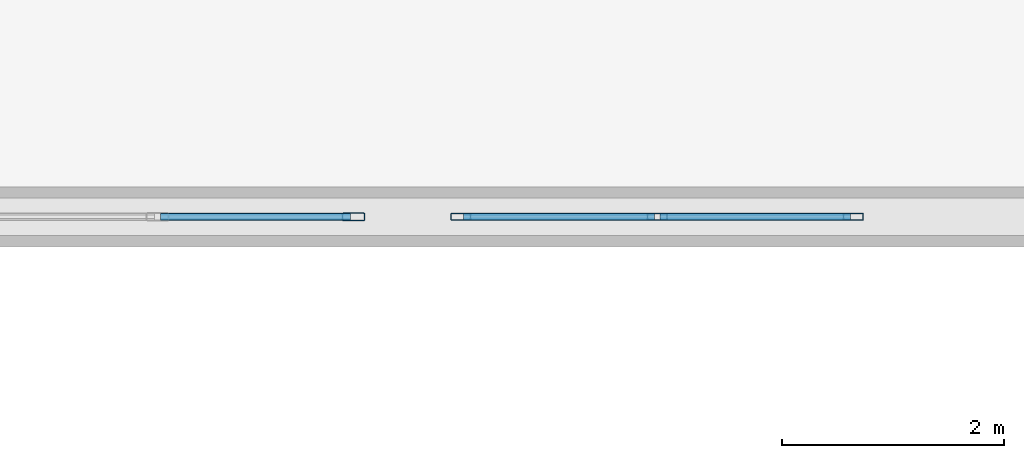
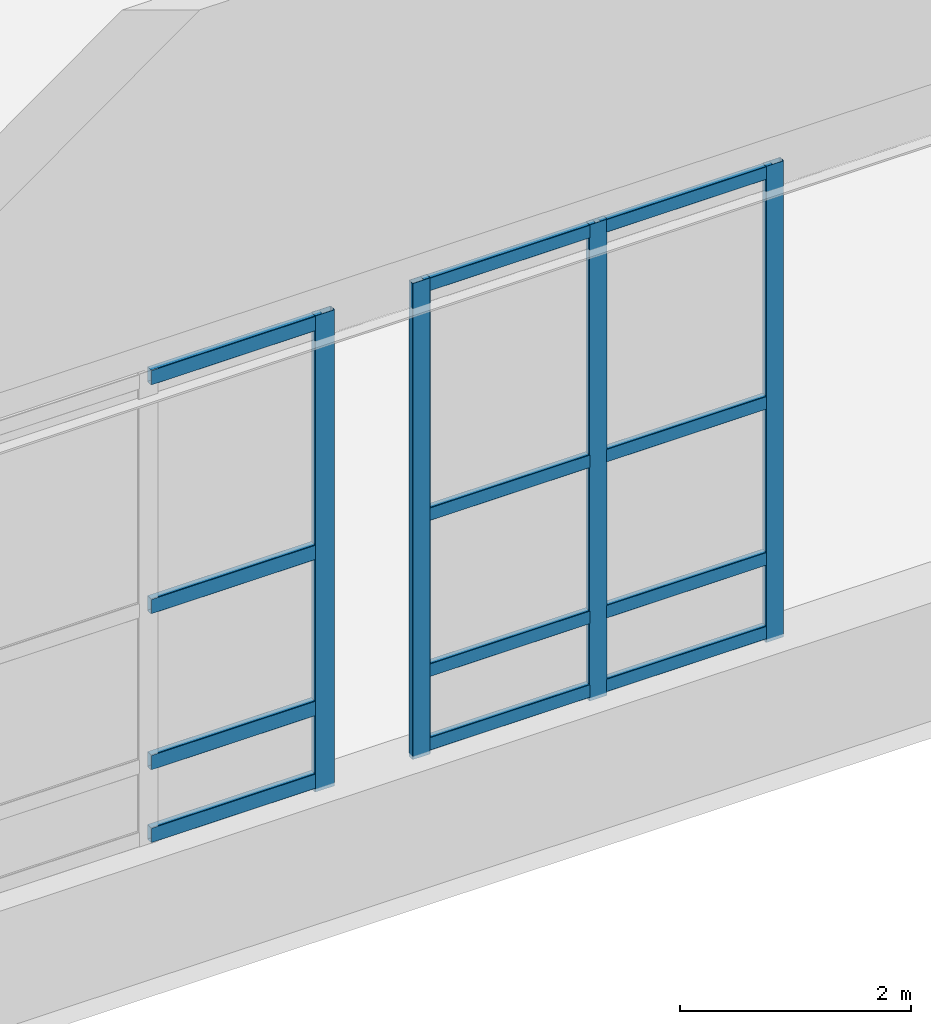
# One storey, part 22 of 97: 16 members, 2 elements without a shape of their own.
"""IFC4 building model written with IfcOpenShell, lengths in metres."""

import ifcopenshell
import ifcopenshell.guid

model = None  # the IFC model being written
_history = None  # IfcOwnerHistory: only IFC2X3 demands one
_inside = {}  # id of a spatial element -> (the spatial element, [elements in it])
_under = {}  # id of a project, library or spatial element -> (it, [spatial elements below it])
_declared = {}  # id of a project -> (the project, [libraries it declares])
_typed = {}  # id of a type object -> (the type object, [elements of that type])
_made_of = {}  # id of a material, layer set ... -> (it, [elements and type objects made of it])


def new_model(schema):
    """Start an empty IFC model of exactly this schema.

    Asked for "IFC4X3", IfcOpenShell would pick the latest addendum, in which some entities
    have other attributes; the version numbers below select the first issue.
    IFC2X3 requires an IfcOwnerHistory on every rooted entity: one is made here for all.
    """
    global model, _history
    if schema == "IFC4X3":
        model = ifcopenshell.file(schema_version=(4, 3, 0, 0))
    else:
        model = ifcopenshell.file(schema=schema)
    _inside.clear()
    _under.clear()
    _declared.clear()
    _typed.clear()
    _made_of.clear()
    _history = None
    if model.schema == "IFC2X3":
        org = make("IfcOrganization", Name="unknown")
        user = make(
            "IfcPersonAndOrganization",
            ThePerson=make("IfcPerson", FamilyName="unknown"),
            TheOrganization=org,
        )
        app = make(
            "IfcApplication",
            ApplicationDeveloper=org,
            Version="unknown",
            ApplicationFullName="unknown",
            ApplicationIdentifier="unknown",
        )
        _history = make(
            "IfcOwnerHistory",
            OwningUser=user,
            OwningApplication=app,
            ChangeAction="ADDED",
            CreationDate=0,
        )
    return model


def make(cls, **values):
    """One entity of the class cls with the attributes given. An attribute that is None is left unset."""
    return model.create_entity(
        cls, **{name: value for name, value in values.items() if value is not None}
    )


def rooted(cls, **values):
    """An entity with a GlobalId (a new one), such as an element, a storey or a relation."""
    return make(cls, GlobalId=ifcopenshell.guid.new(), OwnerHistory=_history, **values)


def si_unit(unit_type, name, prefix=None):
    """IfcSIUnit, for example si_unit("LENGTHUNIT", "METRE", prefix="MILLI")."""
    return make("IfcSIUnit", UnitType=unit_type, Prefix=prefix, Name=name)


def derived_unit(unit_type, elements):
    """IfcDerivedUnit: a product of units, each with its exponent."""
    return make(
        "IfcDerivedUnit",
        Elements=[
            make("IfcDerivedUnitElement", Unit=unit, Exponent=power)
            for unit, power in elements
        ],
        UnitType=unit_type,
    )


def assignment(units):
    """IfcUnitAssignment: the units of a project."""
    return None if units is None else make("IfcUnitAssignment", Units=units)


def point(xyz):
    """IfcCartesianPoint."""
    return None if xyz is None else make("IfcCartesianPoint", Coordinates=xyz)


def direction(xyz):
    """IfcDirection."""
    return None if xyz is None else make("IfcDirection", DirectionRatios=xyz)


def frame(location, z_axis=None, x_axis=None):
    """IfcAxis2Placement3D, a coordinate frame: its origin and axes. An axis left out is left unset."""
    return make(
        "IfcAxis2Placement3D",
        Location=point(location),
        Axis=direction(z_axis),
        RefDirection=direction(x_axis),
    )


def frame_2d(location, x_axis=None):
    """IfcAxis2Placement2D, a coordinate frame in the plane: its origin and x axis."""
    return make(
        "IfcAxis2Placement2D", Location=point(location), RefDirection=direction(x_axis)
    )


def origin():
    """The frame at (0, 0, 0) with its axes left unset."""
    return frame((0.0, 0.0, 0.0))


def origin_2d():
    """The frame at (0, 0) in the plane with its x axis left unset."""
    return frame_2d((0.0, 0.0))


def place(relative_to, where):
    """IfcLocalPlacement: puts the frame where relative to a parent placement (None: the world)."""
    return make(
        "IfcLocalPlacement", PlacementRelTo=relative_to, RelativePlacement=where
    )


def context(
    kind, dimensions, precision=None, world=None, true_north=None, identifier=None
):
    """IfcGeometricRepresentationContext, for example the 3D "Model" context."""
    return make(
        "IfcGeometricRepresentationContext",
        ContextIdentifier=identifier,
        ContextType=kind,
        CoordinateSpaceDimension=dimensions,
        Precision=precision,
        WorldCoordinateSystem=world,
        TrueNorth=true_north,
    )


def subcontext(parent, identifier, kind, view, scale=None):
    """IfcGeometricRepresentationSubContext, for example "Body" below "Model"."""
    return make(
        "IfcGeometricRepresentationSubContext",
        ContextIdentifier=identifier,
        ContextType=kind,
        ParentContext=parent,
        TargetScale=scale,
        TargetView=view,
    )


def project(units=None, contexts=None):
    """IfcProject with its units and contexts."""
    return rooted(
        "IfcProject",
        Name="project",
        RepresentationContexts=contexts,
        UnitsInContext=assignment(units),
    )


def spatial(cls, under=None, at=None, **own):
    """A site, building, storey or space (cls), placed at a placement, below another one or the project."""
    s = rooted(cls, ObjectPlacement=at, **own)
    if under is not None:
        _under.setdefault(under.id(), (under, []))[1].append(s)
    return s


def profile(cls, at=None, kind="AREA", **sizes):
    """A parametric profile (cls). Its sizes go by their IFC names, for example OverallWidth=200.0."""
    return make(cls, ProfileType=kind, Position=at, **sizes)


def hollow_rectangle(**sizes):
    """IfcRectangleHollowProfileDef."""
    return profile("IfcRectangleHollowProfileDef", **sizes)


def extrude(swept, where, along, depth):
    """IfcExtrudedAreaSolid: the profile swept, set in the frame where, extruded along a direction by depth."""
    return make(
        "IfcExtrudedAreaSolid",
        SweptArea=swept,
        Position=where,
        ExtrudedDirection=direction(along),
        Depth=depth,
    )


def shape(context_of_items, identifier, shape_type, items):
    """IfcShapeRepresentation: the items that make up one representation, for example the "Body"."""
    return make(
        "IfcShapeRepresentation",
        ContextOfItems=context_of_items,
        RepresentationIdentifier=identifier,
        RepresentationType=shape_type,
        Items=items,
    )


def material(Name=None, Category=None):
    """IfcMaterial."""
    return make("IfcMaterial", Name=Name, Category=Category)


def layer(
    of_material, thickness, ventilated=None, Name=None, Category=None, Priority=None
):
    """IfcMaterialLayer: one layer of a wall or slab, of a material (None: an air gap)."""
    return make(
        "IfcMaterialLayer",
        Material=of_material,
        LayerThickness=thickness,
        IsVentilated=ventilated,
        Name=Name,
        Category=Category,
        Priority=Priority,
    )


def layer_set(layers, Name=None):
    """IfcMaterialLayerSet."""
    return make("IfcMaterialLayerSet", MaterialLayers=layers, LayerSetName=Name)


def material_profile(
    of_material, cross_section, Name=None, Category=None, Priority=None
):
    """IfcMaterialProfile: a cross section and its material."""
    return make(
        "IfcMaterialProfile",
        Name=Name,
        Material=of_material,
        Profile=cross_section,
        Priority=Priority,
        Category=Category,
    )


def profile_set(profiles, Name=None, composite=None):
    """IfcMaterialProfileSet."""
    return make(
        "IfcMaterialProfileSet",
        Name=Name,
        MaterialProfiles=profiles,
        CompositeProfile=composite,
    )


def made_of(thing, what):
    """Note that an element or type object is made of a material, layer set ...; save() writes the relation."""
    if what is not None:
        _made_of.setdefault(what.id(), (what, []))[1].append(thing)
    return thing


def type_object(cls, material=None, **own):
    """A type object (cls), such as IfcWallType, which elements share."""
    return made_of(rooted(cls, **own), material)


def element(
    cls,
    number,
    at=None,
    inside=None,
    cuts=None,
    type_object=None,
    material=None,
    context=None,
    identifier="Body",
    shape_type=None,
    held_by="IfcProductDefinitionShape",
    body=None,
    shapes=None,
    **own,
):
    """One element of the class cls, such as IfcWall. Its Tag is "e" and its number.

    at: its placement. inside: the storey or other place that contains it. cuts: it is an
    opening in that element (IfcRelVoidsElement). A single representation is given by context,
    identifier, shape_type and body (its items); several are given by shapes. held_by: the class
    of the entity that holds the representations. save() writes the other relations.
    """
    e = rooted(cls, Tag="e%d" % number, ObjectPlacement=at, **own)
    if body is not None:
        shapes = [shape(context, identifier, shape_type, body)]
    if shapes is not None:
        e.Representation = make(held_by, Representations=shapes)
    if inside is not None:
        _inside.setdefault(inside.id(), (inside, []))[1].append(e)
    if cuts is not None:
        rooted(
            "IfcRelVoidsElement", RelatingBuildingElement=cuts, RelatedOpeningElement=e
        )
    if type_object is not None:
        _typed.setdefault(type_object.id(), (type_object, []))[1].append(e)
    return made_of(e, material)


def aggregate(whole, parts):
    """IfcRelAggregates: a whole, such as a stair, and the parts it consists of."""
    return rooted("IfcRelAggregates", RelatingObject=whole, RelatedObjects=parts)


def save(model, path):
    """Write the relations noted so far, then the file.

    IfcRelAggregates (storeys below a building ...), IfcRelContainedInSpatialStructure (elements
    in a storey), IfcRelDefinesByType, IfcRelAssociatesMaterial and IfcRelDeclares: one each for
    every whole, place, type object, material and project.
    """
    for whole, parts in _under.values():
        aggregate(whole, parts)
    for where, things in _inside.values():
        rooted(
            "IfcRelContainedInSpatialStructure",
            RelatedElements=things,
            RelatingStructure=where,
        )
    for kind, things in _typed.values():
        rooted("IfcRelDefinesByType", RelatedObjects=things, RelatingType=kind)
    for what, things in _made_of.values():
        rooted("IfcRelAssociatesMaterial", RelatedObjects=things, RelatingMaterial=what)
    for by, libraries in _declared.values():
        rooted("IfcRelDeclares", RelatingContext=by, RelatedDefinitions=libraries)
    model.write(path)


model = new_model("IFC4")

# Units and contexts
model_context = context("Model", 3, precision=1e-05, world=origin(), true_north=direction((0.0, 1.0)))
body_context = subcontext(model_context, "Body", "Model", "MODEL_VIEW")
ifc_project = project(units=[si_unit("LENGTHUNIT", "METRE"), si_unit("AREAUNIT", "SQUARE_METRE"), si_unit("VOLUMEUNIT", "CUBIC_METRE"), si_unit("PLANEANGLEUNIT", "RADIAN"), si_unit("MASSUNIT", "GRAM", prefix="KILO"), derived_unit("THERMALTRANSMITTANCEUNIT", [(si_unit("POWERUNIT", "WATT"), 1), (si_unit("LENGTHUNIT", "METRE"), -2), (si_unit("THERMODYNAMICTEMPERATUREUNIT", "KELVIN"), -1)])], contexts=[model_context])

# Site, building, storey
site_placement = place(None, origin())
site = spatial("IfcSite", under=ifc_project, at=site_placement, CompositionType="ELEMENT")
building_placement = place(site_placement, origin())
building = spatial("IfcBuilding", under=site, at=building_placement, Name="Almenara Railside Exhibition Hall", CompositionType="ELEMENT")
storey_placement = place(building_placement, frame((0.0, 0.0, 10.800048828125)))
storey = spatial("IfcBuildingStorey", under=building, at=storey_placement, Name="L02", CompositionType="ELEMENT", Elevation=10.800048828125)

# Curtain wall, members
ifc_material_1 = material(Name="Bronze-anodised aluminium and low-E double glazing", Category="aluminium")
ifc_layer = layer(ifc_material_1, 0.179931640625, Name="Bronze-anodised aluminium and low-E double glazing")
ifc_layer_set = layer_set([ifc_layer], Name="Bronze-anodised aluminium and low-E double glazing")
curtain_wall_type = type_object("IfcCurtainWallType", Name="Scroll Gable Standard Curtain Wall 3600x5000", PredefinedType="NOTDEFINED", material=ifc_layer_set)
curtain_wall_1_placement = place(storey_placement, origin())
curtain_wall_1 = element("IfcCurtainWall", 1, at=curtain_wall_1_placement, inside=storey, type_object=curtain_wall_type, Name="Curtain wall CW-G2-037", PredefinedType="NOTDEFINED")
ifc_material_2 = material(Name="Bronze-anodised aluminium", Category="aluminium")
ifc_material_profile_1 = material_profile(ifc_material_2, hollow_rectangle(XDim=0.06494140625, YDim=0.179931640625, WallThickness=0.00390625, InnerFilletRadius=0.00390625, OuterFilletRadius=0.008056640625, at=origin_2d()), Name="ALU-MUL 65x180x4")
ifc_profile_set_1 = profile_set([ifc_material_profile_1], Name="Bronze-anodised aluminium")
member_type_1 = type_object("IfcMemberType", Name="Curtain Wall Mullion 65x180x4", PredefinedType="MULLION", material=ifc_profile_set_1)
member_1_placement = place(storey_placement, frame((50.232421875, 48.0, 1.21484375), z_axis=(0.0, 0.0, 1.0), x_axis=(0.0, 1.0, 0.0)))
member_1 = element("IfcMember", 2, at=member_1_placement, type_object=member_type_1, Name="CW-G2-037 mullion 1", PredefinedType="MULLION", context=body_context, shape_type="SweptSolid", body=[
    extrude(hollow_rectangle(XDim=0.06494140625, YDim=0.179931640625, WallThickness=0.00390625, InnerFilletRadius=0.00390625, OuterFilletRadius=0.008056640625, at=origin_2d()), origin(), (0.0, 0.0, 1.0), 5.03515625),
])
member_2_placement = place(storey_placement, frame((52.0, 48.0, 1.21484375), z_axis=(0.0, 0.0, 1.0), x_axis=(0.0, 1.0, 0.0)))
member_2 = element("IfcMember", 3, at=member_2_placement, type_object=member_type_1, Name="CW-G2-037 mullion 2", PredefinedType="MULLION", context=body_context, shape_type="SweptSolid", body=[
    extrude(hollow_rectangle(XDim=0.06494140625, YDim=0.179931640625, WallThickness=0.00390625, InnerFilletRadius=0.00390625, OuterFilletRadius=0.008056640625, at=origin_2d()), origin(), (0.0, 0.0, 1.0), 5.03515625),
])
member_3_placement = place(storey_placement, frame((53.767578125, 48.0, 1.21484375), z_axis=(0.0, 0.0, 1.0), x_axis=(0.0, 1.0, 0.0)))
member_3 = element("IfcMember", 4, at=member_3_placement, type_object=member_type_1, Name="CW-G2-037 mullion 3", PredefinedType="MULLION", context=body_context, shape_type="SweptSolid", body=[
    extrude(hollow_rectangle(XDim=0.06494140625, YDim=0.179931640625, WallThickness=0.00390625, InnerFilletRadius=0.00390625, OuterFilletRadius=0.008056640625, at=origin_2d()), origin(), (0.0, 0.0, 1.0), 5.03515625),
])

# Curtain wall, member
curtain_wall_2_placement = place(storey_placement, origin())
curtain_wall_2 = element("IfcCurtainWall", 5, at=curtain_wall_2_placement, inside=storey, type_object=curtain_wall_type, Name="Curtain wall CW-G2-036", PredefinedType="NOTDEFINED")
ifc_material_profile_2 = material_profile(ifc_material_2, hollow_rectangle(XDim=0.070068359375, YDim=0.199951171875, WallThickness=0.00439453125, InnerFilletRadius=0.00439453125, OuterFilletRadius=0.009033203125, at=origin_2d()), Name="ALU-MUL 70x200x4.5")
ifc_profile_set_2 = profile_set([ifc_material_profile_2], Name="Bronze-anodised aluminium")
member_type_2 = type_object("IfcMemberType", Name="Curtain Wall Mullion 70x200x4.5", PredefinedType="MULLION", material=ifc_profile_set_2)
member_4_placement = place(storey_placement, frame((49.264892578125, 48.0, 1.21484375), z_axis=(0.0, 0.0, 1.0), x_axis=(0.0, 1.0, 0.0)))
member_4 = element("IfcMember", 6, at=member_4_placement, type_object=member_type_2, Name="CW-G2-036 mullion 3", PredefinedType="MULLION", context=body_context, shape_type="SweptSolid", body=[
    extrude(hollow_rectangle(XDim=0.070068359375, YDim=0.199951171875, WallThickness=0.00439453125, InnerFilletRadius=0.00439453125, OuterFilletRadius=0.009033203125, at=origin_2d()), origin(), (0.0, 0.0, 1.0), 5.03515625),
])

# Member
ifc_material_profile_3 = material_profile(ifc_material_2, hollow_rectangle(XDim=0.06494140625, YDim=0.139892578125, WallThickness=0.00341796875, InnerFilletRadius=0.00341796875, OuterFilletRadius=0.007080078125, at=origin_2d()), Name="ALU-TRN 65x140x3.5")
ifc_profile_set_3 = profile_set([ifc_material_profile_3], Name="Bronze-anodised aluminium")
member_type_3 = type_object("IfcMemberType", Name="Curtain Wall Transom 65x140x3.5", PredefinedType="USERDEFINED", material=ifc_profile_set_3)
member_5_placement = place(storey_placement, frame((50.257080078125, 48.0, 1.320068359375), z_axis=(1.0, 0.0, 0.0), x_axis=(0.0, 1.0, 0.0)))
member_5 = element("IfcMember", 7, at=member_5_placement, type_object=member_type_3, Name="CW-G2-037 transom 1.1", ObjectType="TRANSOM", PredefinedType="USERDEFINED", context=body_context, shape_type="SweptSolid", body=[
    extrude(hollow_rectangle(XDim=0.06494140625, YDim=0.139892578125, WallThickness=0.00341796875, InnerFilletRadius=0.00341796875, OuterFilletRadius=0.007080078125, at=origin_2d()), origin(), (0.0, 0.0, 1.0), 1.718505859375),
])

member_6_placement = place(storey_placement, frame((50.257080078125, 48.0, 2.099853515625), z_axis=(1.0, 0.0, 0.0), x_axis=(0.0, 1.0, 0.0)))
member_6 = element("IfcMember", 8, at=member_6_placement, type_object=member_type_3, Name="CW-G2-037 transom 1.2", ObjectType="TRANSOM", PredefinedType="USERDEFINED", context=body_context, shape_type="SweptSolid", body=[
    extrude(hollow_rectangle(XDim=0.06494140625, YDim=0.139892578125, WallThickness=0.00341796875, InnerFilletRadius=0.00341796875, OuterFilletRadius=0.007080078125, at=origin_2d()), origin(), (0.0, 0.0, 1.0), 1.718505859375),
])

member_7_placement = place(storey_placement, frame((50.257080078125, 48.0, 3.75), z_axis=(1.0, 0.0, 0.0), x_axis=(0.0, 1.0, 0.0)))
member_7 = element("IfcMember", 9, at=member_7_placement, type_object=member_type_3, Name="CW-G2-037 transom 1.3", ObjectType="TRANSOM", PredefinedType="USERDEFINED", context=body_context, shape_type="SweptSolid", body=[
    extrude(hollow_rectangle(XDim=0.06494140625, YDim=0.139892578125, WallThickness=0.00341796875, InnerFilletRadius=0.00341796875, OuterFilletRadius=0.007080078125, at=origin_2d()), origin(), (0.0, 0.0, 1.0), 1.718505859375),
])

member_8_placement = place(storey_placement, frame((50.257080078125, 48.0, 6.179931640625), z_axis=(1.0, 0.0, 0.0), x_axis=(0.0, 1.0, 0.0)))
member_8 = element("IfcMember", 10, at=member_8_placement, type_object=member_type_3, Name="CW-G2-037 transom 1.4", ObjectType="TRANSOM", PredefinedType="USERDEFINED", context=body_context, shape_type="SweptSolid", body=[
    extrude(hollow_rectangle(XDim=0.06494140625, YDim=0.139892578125, WallThickness=0.00341796875, InnerFilletRadius=0.00341796875, OuterFilletRadius=0.007080078125, at=origin_2d()), origin(), (0.0, 0.0, 1.0), 1.718505859375),
])

member_9_placement = place(storey_placement, frame((52.0244140625, 48.0, 1.320068359375), z_axis=(1.0, 0.0, 0.0), x_axis=(0.0, 1.0, 0.0)))
member_9 = element("IfcMember", 11, at=member_9_placement, type_object=member_type_3, Name="CW-G2-037 transom 2.1", ObjectType="TRANSOM", PredefinedType="USERDEFINED", context=body_context, shape_type="SweptSolid", body=[
    extrude(hollow_rectangle(XDim=0.06494140625, YDim=0.139892578125, WallThickness=0.00341796875, InnerFilletRadius=0.00341796875, OuterFilletRadius=0.007080078125, at=origin_2d()), origin(), (0.0, 0.0, 1.0), 1.718505859375),
])

member_10_placement = place(storey_placement, frame((52.0244140625, 48.0, 2.099853515625), z_axis=(1.0, 0.0, 0.0), x_axis=(0.0, 1.0, 0.0)))
member_10 = element("IfcMember", 12, at=member_10_placement, type_object=member_type_3, Name="CW-G2-037 transom 2.2", ObjectType="TRANSOM", PredefinedType="USERDEFINED", context=body_context, shape_type="SweptSolid", body=[
    extrude(hollow_rectangle(XDim=0.06494140625, YDim=0.139892578125, WallThickness=0.00341796875, InnerFilletRadius=0.00341796875, OuterFilletRadius=0.007080078125, at=origin_2d()), origin(), (0.0, 0.0, 1.0), 1.718505859375),
])

member_11_placement = place(storey_placement, frame((52.0244140625, 48.0, 3.75), z_axis=(1.0, 0.0, 0.0), x_axis=(0.0, 1.0, 0.0)))
member_11 = element("IfcMember", 13, at=member_11_placement, type_object=member_type_3, Name="CW-G2-037 transom 2.3", ObjectType="TRANSOM", PredefinedType="USERDEFINED", context=body_context, shape_type="SweptSolid", body=[
    extrude(hollow_rectangle(XDim=0.06494140625, YDim=0.139892578125, WallThickness=0.00341796875, InnerFilletRadius=0.00341796875, OuterFilletRadius=0.007080078125, at=origin_2d()), origin(), (0.0, 0.0, 1.0), 1.718505859375),
])

member_12_placement = place(storey_placement, frame((52.0244140625, 48.0, 6.179931640625), z_axis=(1.0, 0.0, 0.0), x_axis=(0.0, 1.0, 0.0)))
member_12 = element("IfcMember", 14, at=member_12_placement, type_object=member_type_3, Name="CW-G2-037 transom 2.4", ObjectType="TRANSOM", PredefinedType="USERDEFINED", context=body_context, shape_type="SweptSolid", body=[
    extrude(hollow_rectangle(XDim=0.06494140625, YDim=0.139892578125, WallThickness=0.00341796875, InnerFilletRadius=0.00341796875, OuterFilletRadius=0.007080078125, at=origin_2d()), origin(), (0.0, 0.0, 1.0), 1.718505859375),
])

aggregate(curtain_wall_1, [member_1, member_2, member_3, member_5, member_6, member_7, member_8, member_9, member_10, member_11, member_12])

ifc_material_profile_4 = material_profile(ifc_material_2, hollow_rectangle(XDim=0.070068359375, YDim=0.159912109375, WallThickness=0.00390625, InnerFilletRadius=0.00390625, OuterFilletRadius=0.008056640625, at=origin_2d()), Name="ALU-TRN 70x160x4")
ifc_profile_set_4 = profile_set([ifc_material_profile_4], Name="Bronze-anodised aluminium")
member_type_4 = type_object("IfcMemberType", Name="Curtain Wall Transom 70x160x4", PredefinedType="USERDEFINED", material=ifc_profile_set_4)
member_13_placement = place(storey_placement, frame((47.527099609375, 48.0, 1.329833984375), z_axis=(1.0, 0.0, 0.0), x_axis=(0.0, 1.0, 0.0)))
member_13 = element("IfcMember", 15, at=member_13_placement, type_object=member_type_4, Name="CW-G2-036 transom 2.1", ObjectType="TRANSOM", PredefinedType="USERDEFINED", context=body_context, shape_type="SweptSolid", body=[
    extrude(hollow_rectangle(XDim=0.070068359375, YDim=0.159912109375, WallThickness=0.00390625, InnerFilletRadius=0.00390625, OuterFilletRadius=0.008056640625, at=origin_2d()), origin(), (0.0, 0.0, 1.0), 1.7109375),
])

member_14_placement = place(storey_placement, frame((47.527099609375, 48.0, 2.099853515625), z_axis=(1.0, 0.0, 0.0), x_axis=(0.0, 1.0, 0.0)))
member_14 = element("IfcMember", 16, at=member_14_placement, type_object=member_type_4, Name="CW-G2-036 transom 2.2", ObjectType="TRANSOM", PredefinedType="USERDEFINED", context=body_context, shape_type="SweptSolid", body=[
    extrude(hollow_rectangle(XDim=0.070068359375, YDim=0.159912109375, WallThickness=0.00390625, InnerFilletRadius=0.00390625, OuterFilletRadius=0.008056640625, at=origin_2d()), origin(), (0.0, 0.0, 1.0), 1.7109375),
])

member_15_placement = place(storey_placement, frame((47.527099609375, 48.0, 3.75), z_axis=(1.0, 0.0, 0.0), x_axis=(0.0, 1.0, 0.0)))
member_15 = element("IfcMember", 17, at=member_15_placement, type_object=member_type_4, Name="CW-G2-036 transom 2.3", ObjectType="TRANSOM", PredefinedType="USERDEFINED", context=body_context, shape_type="SweptSolid", body=[
    extrude(hollow_rectangle(XDim=0.070068359375, YDim=0.159912109375, WallThickness=0.00390625, InnerFilletRadius=0.00390625, OuterFilletRadius=0.008056640625, at=origin_2d()), origin(), (0.0, 0.0, 1.0), 1.7109375),
])

member_16_placement = place(storey_placement, frame((47.527099609375, 48.0, 6.169921875), z_axis=(1.0, 0.0, 0.0), x_axis=(0.0, 1.0, 0.0)))
member_16 = element("IfcMember", 18, at=member_16_placement, type_object=member_type_4, Name="CW-G2-036 transom 2.4", ObjectType="TRANSOM", PredefinedType="USERDEFINED", context=body_context, shape_type="SweptSolid", body=[
    extrude(hollow_rectangle(XDim=0.070068359375, YDim=0.159912109375, WallThickness=0.00390625, InnerFilletRadius=0.00390625, OuterFilletRadius=0.008056640625, at=origin_2d()), origin(), (0.0, 0.0, 1.0), 1.7109375),
])

aggregate(curtain_wall_2, [member_4, member_13, member_14, member_15, member_16])

save(model, "model.ifc")
